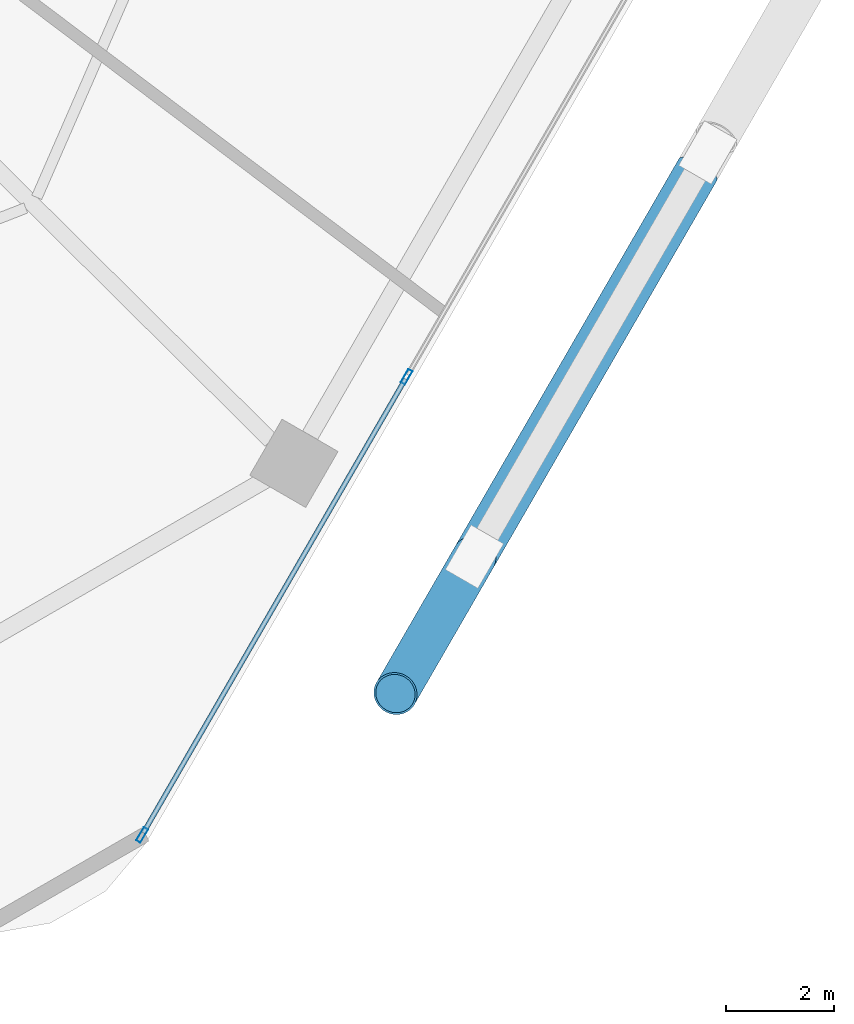
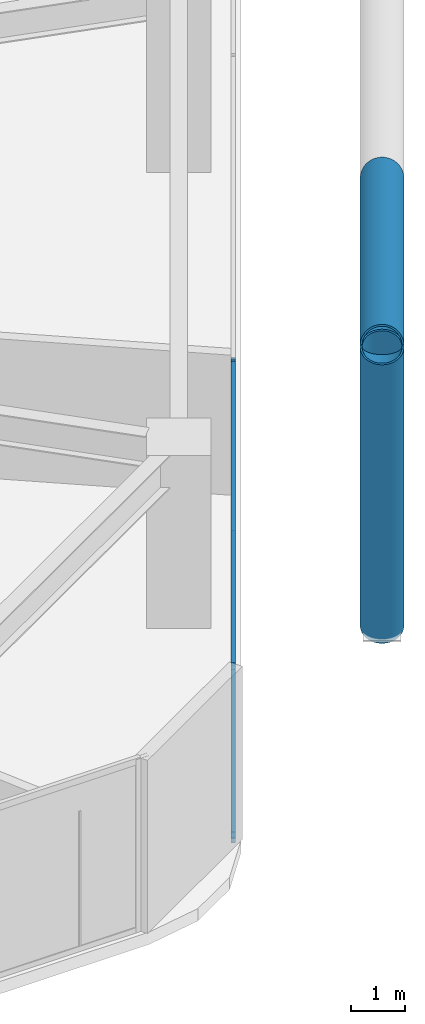
# One storey, part 9 of 28: 6 members, 1 element without a shape of its own.
"""IFC4 building model written with IfcOpenShell, lengths in metres."""

from ifc_helpers import new_model, si_unit, direction, frame, origin, origin_2d, place, context, subcontext, project, spatial, hollow_rectangle, hollow_circle, extrude, material, material_profile, profile_set, type_object, element, aggregate, save


model = new_model("IFC4")

# Units and contexts
model_context = context("Model", 3, precision=1e-05, world=origin(), true_north=direction((0.0, 1.0)))
body_context = subcontext(model_context, "Body", "Model", "MODEL_VIEW")
ifc_project = project(units=[si_unit("LENGTHUNIT", "METRE"), si_unit("AREAUNIT", "SQUARE_METRE"), si_unit("VOLUMEUNIT", "CUBIC_METRE"), si_unit("PLANEANGLEUNIT", "RADIAN"), si_unit("MASSUNIT", "GRAM", prefix="KILO")], contexts=[model_context])

# Site, building, storey
site_placement = place(None, origin())
site = spatial("IfcSite", under=ifc_project, at=site_placement, CompositionType="ELEMENT")
building_placement = place(site_placement, origin())
building = spatial("IfcBuilding", under=site, at=building_placement, Name="Zuhravey Tower", CompositionType="ELEMENT")
storey_placement = place(building_placement, frame((0.0, 0.0, 49.800048828125)))
storey = spatial("IfcBuildingStorey", under=building, at=storey_placement, Name="L12", CompositionType="ELEMENT", Elevation=49.800048828125)

# Curtain wall, members
ifc_material_1 = material(Name="Thermally broken anodised aluminium", Category="aluminium")
curtain_wall_type = type_object("IfcCurtainWallType", Name="School Low-E Unitised Curtain Wall CW1", PredefinedType="NOTDEFINED", material=ifc_material_1)
curtain_wall_placement = place(storey_placement, origin())
curtain_wall = element("IfcCurtainWall", 1, at=curtain_wall_placement, inside=storey, type_object=curtain_wall_type, Name="L12 CW1 CW-L12-F6-1", PredefinedType="NOTDEFINED")
ifc_material_2 = material(Name="Anodised aluminium", Category="aluminium")
ifc_material_profile_1 = material_profile(ifc_material_2, hollow_rectangle(XDim=0.090087890625, YDim=0.284912109375, WallThickness=0.0048828125, at=origin_2d()), Name="ALU-RHS-90x285x5")
ifc_profile_set_1 = profile_set([ifc_material_profile_1], Name="Anodised aluminium")
member_type_1 = type_object("IfcMemberType", Name="Curtain-Wall Mullion 90x180", PredefinedType="MULLION", material=ifc_profile_set_1)
member_1_placement = place(storey_placement, frame((58.612060546875, 13.24853515625, 0.0), z_axis=(0.0, 0.0, 1.0), x_axis=(0.86602552265, -0.499999794119, 0.0)))
member_1 = element("IfcMember", 2, at=member_1_placement, type_object=member_type_1, Name="CW1 mullion 3", PredefinedType="MULLION", context=body_context, shape_type="SweptSolid", body=[
    extrude(hollow_rectangle(XDim=0.090087890625, YDim=0.284912109375, WallThickness=0.0048828125, at=origin_2d()), origin(), (0.0, 0.0, 1.0), 3.919921875),
])
member_2_placement = place(storey_placement, frame((53.701416015625, 4.742919921875, 0.0), z_axis=(0.0, 0.0, 1.0), x_axis=(0.86602552265, -0.499999794119, 0.0)))
member_2 = element("IfcMember", 3, at=member_2_placement, type_object=member_type_1, Name="CW1 mullion 4", PredefinedType="MULLION", context=body_context, shape_type="SweptSolid", body=[
    extrude(hollow_rectangle(XDim=0.090087890625, YDim=0.284912109375, WallThickness=0.0048828125, at=origin_2d()), origin(), (0.0, 0.0, 1.0), 3.919921875),
])
ifc_material_profile_2 = material_profile(ifc_material_2, hollow_rectangle(XDim=0.090087890625, YDim=0.14990234375, WallThickness=0.0048828125, at=origin_2d()), Name="ALU-RHS-90x150x5")
ifc_profile_set_2 = profile_set([ifc_material_profile_2], Name="Anodised aluminium")
member_type_2 = type_object("IfcMemberType", Name="Curtain-Wall Transom 90x150", PredefinedType="USERDEFINED", material=ifc_profile_set_2)
member_3_placement = place(storey_placement, frame((58.589599609375, 13.20947265625, 0.044921875), z_axis=(-0.499989576763, -0.86603142156, 0.0), x_axis=(0.86603142156, -0.499989576763, 0.0)))
member_3 = element("IfcMember", 4, at=member_3_placement, type_object=member_type_2, Name="CW1 transom 3.1", ObjectType="TRANSOM", PredefinedType="USERDEFINED", context=body_context, shape_type="SweptSolid", body=[
    extrude(hollow_rectangle(XDim=0.090087890625, YDim=0.14990234375, WallThickness=0.0048828125, at=origin_2d()), origin(), (0.0, 0.0, 1.0), 9.731201171875),
])
member_4_placement = place(storey_placement, frame((58.589599609375, 13.20947265625, 3.875), z_axis=(-0.499989576763, -0.86603142156, 0.0), x_axis=(0.86603142156, -0.499989576763, 0.0)))
member_4 = element("IfcMember", 5, at=member_4_placement, type_object=member_type_2, Name="CW1 transom 3.2", ObjectType="TRANSOM", PredefinedType="USERDEFINED", context=body_context, shape_type="SweptSolid", body=[
    extrude(hollow_rectangle(XDim=0.090087890625, YDim=0.14990234375, WallThickness=0.0048828125, at=origin_2d()), origin(), (0.0, 0.0, 1.0), 9.731201171875),
])
aggregate(curtain_wall, [member_1, member_2, member_3, member_4])

# Members
ifc_material_3 = material(Name="Steel SM460", Category="steel")
ifc_material_profile_3 = material_profile(ifc_material_3, hollow_circle(Radius=0.406494140625, WallThickness=0.035888671875, at=origin_2d()), Name="CHS-812.8x36")
ifc_profile_set_3 = profile_set([ifc_material_profile_3], Name="Steel SM460")
member_type_3 = type_object("IfcMemberType", Name="Exoskeleton Zone 1 Diagrid CHS813x36", PredefinedType="BRACE", material=ifc_profile_set_3)
member_5_placement = place(storey_placement, frame((59.8681640625, 9.904052734375, -0.47216796875), z_axis=(-0.165303015494, -0.286350594813, 0.943757516483), x_axis=(0.866053660865, -0.499951054106, 0.0)))
element("IfcMember", 6, at=member_5_placement, inside=storey, type_object=member_type_3, Name="L12 Face 6 Diagrid Brace 1", PredefinedType="BRACE", context=body_context, shape_type="SweptSolid", body=[
    extrude(hollow_circle(Radius=0.406494140625, WallThickness=0.035888671875, at=origin_2d()), origin(), (0.0, 0.0, 1.0), 8.854248046875),
])
member_6_placement = place(storey_placement, frame((64.018310546875, 17.09228515625, 3.8408203125), z_axis=(-0.470168805096, -0.814366925669, 0.340217290992), x_axis=(0.866028239721, -0.499995087982, 0.0)))
element("IfcMember", 7, at=member_6_placement, inside=storey, type_object=member_type_3, Name="L12 Face 6 Split Diagrid Brace 3B", PredefinedType="BRACE", context=body_context, shape_type="SweptSolid", body=[
    extrude(hollow_circle(Radius=0.406494140625, WallThickness=0.035888671875, at=origin_2d()), origin(), (0.0, 0.0, 1.0), 11.89794921875),
])

save(model, "model.ifc")
